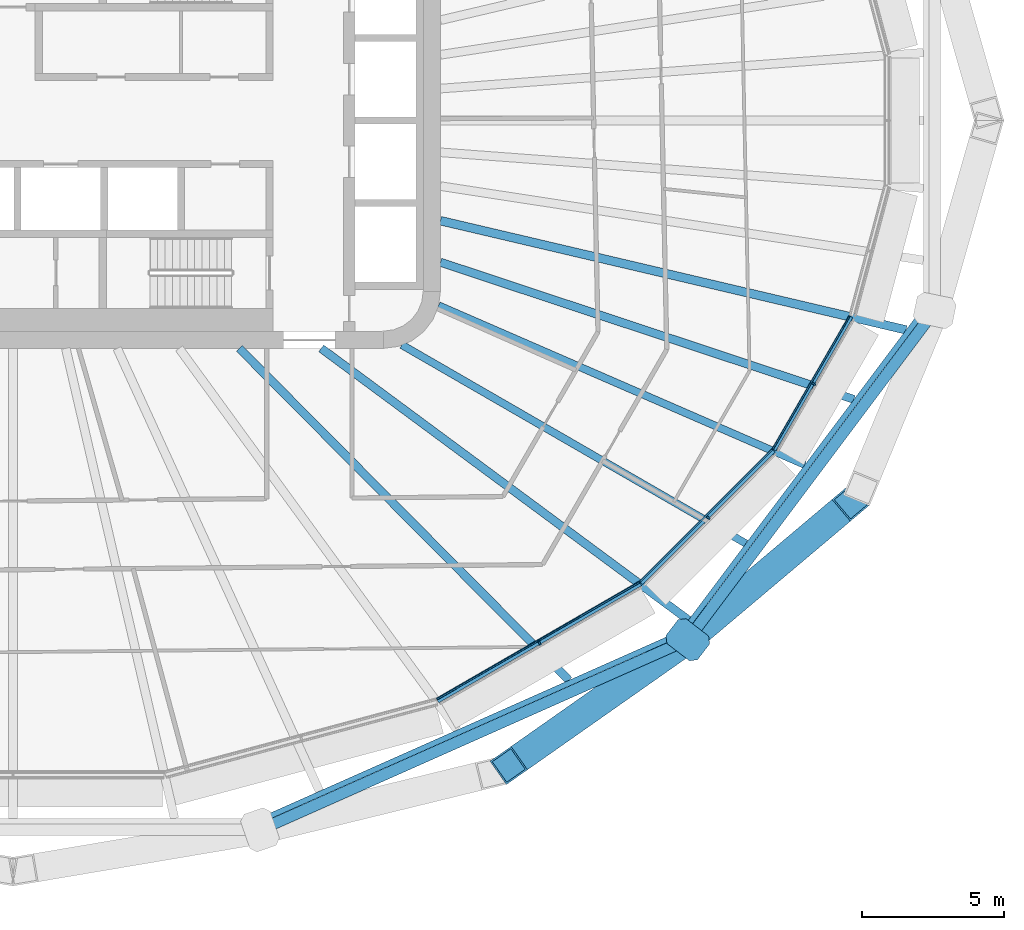
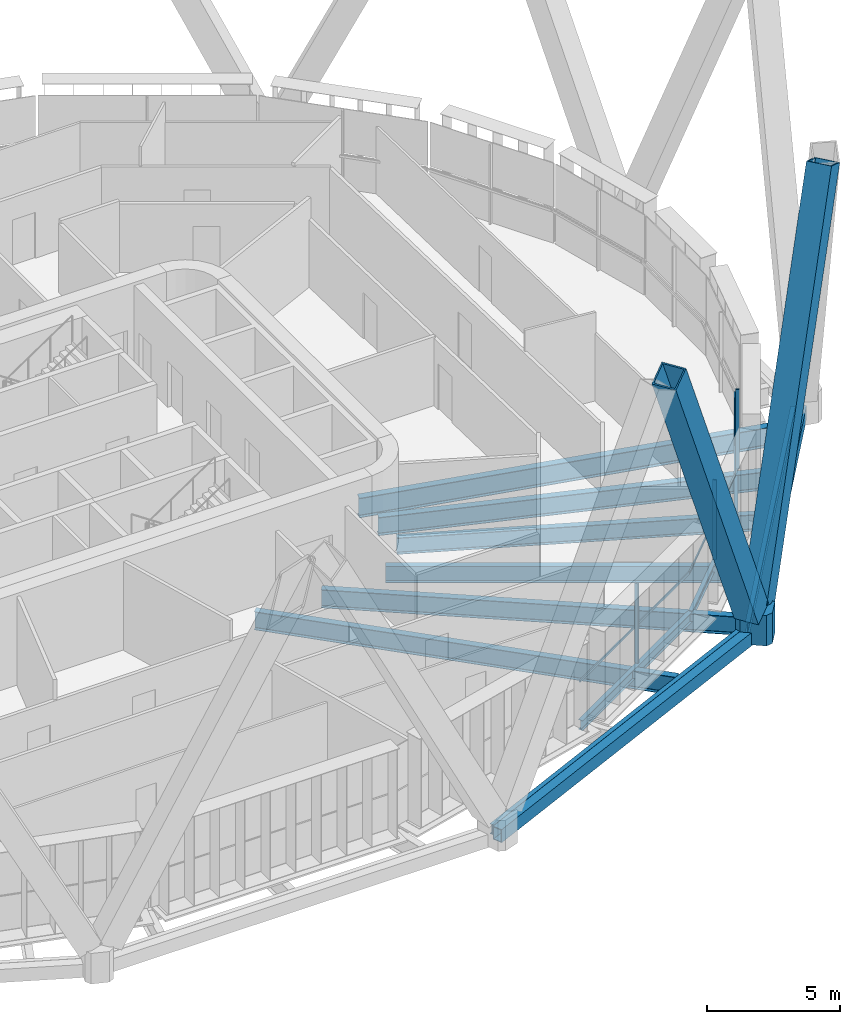
# One storey, part 5 of 25: 13 beams, 9 members, 3 elements without a shape of their own.
"""IFC4 building model written with IfcOpenShell, lengths in metres."""

from ifc_helpers import new_model, si_unit, direction, frame, origin, origin_2d, place, context, subcontext, project, spatial, polyline, rectangle, hollow_rectangle, i_section, outline, extrude, material, layer, layer_set, material_profile, profile_set, type_object, element, aggregate, save


model = new_model("IFC4")

# Units and contexts
model_context = context("Model", 3, precision=1e-05, world=origin(), true_north=direction((0.0, 1.0)))
body_context = subcontext(model_context, "Body", "Model", "MODEL_VIEW")
ifc_project = project(units=[si_unit("LENGTHUNIT", "METRE"), si_unit("AREAUNIT", "SQUARE_METRE"), si_unit("VOLUMEUNIT", "CUBIC_METRE"), si_unit("PLANEANGLEUNIT", "RADIAN"), si_unit("MASSUNIT", "GRAM", prefix="KILO")], contexts=[model_context])

# Site, building, storey
site_placement = place(None, origin())
site = spatial("IfcSite", under=ifc_project, at=site_placement, CompositionType="ELEMENT")
building_placement = place(site_placement, origin())
building = spatial("IfcBuilding", under=site, at=building_placement, Name="Sahrelin Media Tower", CompositionType="ELEMENT")
storey_placement = place(building_placement, frame((0.0, 0.0, 63.0)))
storey = spatial("IfcBuildingStorey", under=building, at=storey_placement, Name="L10", CompositionType="ELEMENT", Elevation=63.0)

# Members
ifc_material_1 = material(Name="Steel S460", Category="steel")
ifc_material_profile_1 = material_profile(ifc_material_1, hollow_rectangle(XDim=1.0, YDim=1.0, WallThickness=0.06005859375, at=origin_2d()), Name="Diagrid diagonal DG1")
ifc_profile_set_1 = profile_set([ifc_material_profile_1], Name="Steel S460")
member_type_1 = type_object("IfcMemberType", Name="Diagrid diagonal DG1", PredefinedType="BRACE", material=ifc_profile_set_1)
member_1_placement = place(storey_placement, frame((23.408203125, -18.419189453125, 0.699951171875), z_axis=(-0.352189140752, -0.247399563402, 0.902638501929), x_axis=(0.574813771639, -0.818284258638, 0.0)))
element("IfcMember", 1, at=member_1_placement, inside=storey, type_object=member_type_1, Name="Diagrid diagonal D01-20", PredefinedType="BRACE", context=body_context, shape_type="SweptSolid", body=[
    extrude(hollow_rectangle(XDim=1.0, YDim=1.0, WallThickness=0.06005859375, at=origin_2d()), origin(), (0.0, 0.0, 1.0), 17.061279296875),
])
member_2_placement = place(storey_placement, frame((23.930419921875, -18.01708984375, 0.699951171875), z_axis=(0.322789301353, 0.272234018557, 0.90647432731), x_axis=(-0.644705674883, 0.764430894701, 0.0)))
element("IfcMember", 2, at=member_2_placement, inside=storey, type_object=member_type_1, Name="Diagrid diagonal D01-21", PredefinedType="BRACE", context=body_context, shape_type="SweptSolid", body=[
    extrude(hollow_rectangle(XDim=1.0, YDim=1.0, WallThickness=0.06005859375, at=origin_2d()), origin(), (0.0, 0.0, 1.0), 16.989013671875),
])
ifc_material_profile_2 = material_profile(ifc_material_1, outline(polyline([(0.5, -0.550048828125), (0.699951171875, -0.35009765625), (0.699951171875, 0.35009765625), (0.5, 0.550048828125), (-0.5, 0.550048828125), (-0.699951171875, 0.35009765625), (-0.699951171875, -0.35009765625), (-0.5, -0.550048828125), (0.5, -0.550048828125)])), Name="Diagrid node block 1400")
ifc_profile_set_2 = profile_set([ifc_material_profile_2], Name="Steel S460")
member_type_2 = type_object("IfcMemberType", Name="Diagrid node block 1400", PredefinedType="USERDEFINED", material=ifc_profile_set_2)
member_3_placement = place(storey_placement, frame((23.68115234375, -18.227294921875, -0.699951171875), z_axis=(0.0, 0.0, 1.0), x_axis=(0.792445093645, -0.609943254376, 0.0)))
element("IfcMember", 3, at=member_3_placement, inside=storey, type_object=member_type_2, Name="Diagrid node N01-10", ObjectType="NODE", PredefinedType="USERDEFINED", context=body_context, shape_type="SweptSolid", body=[
    extrude(outline(polyline([(0.5, -0.550048828125), (0.699951171875, -0.35009765625), (0.699951171875, 0.35009765625), (0.5, 0.550048828125), (-0.5, 0.550048828125), (-0.699951171875, 0.35009765625), (-0.699951171875, -0.35009765625), (-0.5, -0.550048828125), (0.5, -0.550048828125)])), origin(), (0.0, 0.0, 1.0), 1.39990234375),
])

# Beams
ifc_material_profile_3 = material_profile(ifc_material_1, hollow_rectangle(XDim=0.39990234375, YDim=0.60009765625, WallThickness=0.030029296875, at=origin_2d()), Name="Diagrid ring beam RB1")
ifc_profile_set_3 = profile_set([ifc_material_profile_3], Name="Steel S460")
beam_type_1 = type_object("IfcBeamType", Name="Diagrid ring beam RB1", PredefinedType="BEAM", material=ifc_profile_set_3)
beam_1_placement = place(storey_placement, frame((8.66796875, -24.899169921875, -0.449951171875), z_axis=(0.913826255234, 0.406105374558, 0.0), x_axis=(-0.406105374558, 0.913826255234, 0.0)))
element("IfcBeam", 4, at=beam_1_placement, inside=storey, type_object=beam_type_1, Name="Diagrid ring beam RB01-09", PredefinedType="BEAM", context=body_context, shape_type="SweptSolid", body=[
    extrude(hollow_rectangle(XDim=0.39990234375, YDim=0.60009765625, WallThickness=0.030029296875, at=origin_2d()), origin(), (0.0, 0.0, 1.0), 16.428955078125),
])
beam_2_placement = place(storey_placement, frame((23.68115234375, -18.227294921875, -0.449951171875), z_axis=(0.600054081917, 0.799959435706, 0.0), x_axis=(-0.799959435706, 0.600054081917, 0.0)))
element("IfcBeam", 5, at=beam_2_placement, inside=storey, type_object=beam_type_1, Name="Diagrid ring beam RB01-10", PredefinedType="BEAM", context=body_context, shape_type="SweptSolid", body=[
    extrude(hollow_rectangle(XDim=0.39990234375, YDim=0.60009765625, WallThickness=0.030029296875, at=origin_2d()), origin(), (0.0, 0.0, 1.0), 14.4453125),
])
ifc_material_2 = material(Name="Steel S355", Category="steel")
ifc_material_profile_4 = material_profile(ifc_material_2, i_section(OverallWidth=0.1650390625, OverallDepth=0.303466796875, WebThickness=0.006103515625, FlangeThickness=0.01025390625, FilletRadius=0.0087890625, at=origin_2d()), Name="UB 305x165x40")
ifc_profile_set_4 = profile_set([ifc_material_profile_4], Name="Steel S355")
beam_type_2 = type_object("IfcBeamType", Name="Edge beam EB2", PredefinedType="BEAM", material=ifc_profile_set_4)
beam_3_placement = place(storey_placement, frame((29.40087890625, -6.885498046875, -0.3017578125), z_axis=(-0.500003162844, -0.866023577708, 0.0), x_axis=(0.866023577708, -0.500003162844, 0.0)))
element("IfcBeam", 6, at=beam_3_placement, inside=storey, type_object=beam_type_2, Name="Edge beam L10-03", PredefinedType="BEAM", context=body_context, shape_type="SweptSolid", body=[
    extrude(i_section(OverallWidth=0.1650390625, OverallDepth=0.303466796875, WebThickness=0.006103515625, FlangeThickness=0.01025390625, FilletRadius=0.0087890625, at=origin_2d()), origin(), (0.0, 0.0, 1.0), 5.3955078125),
])
ifc_material_profile_5 = material_profile(ifc_material_2, i_section(OverallWidth=0.17138671875, OverallDepth=0.35498046875, WebThickness=0.00732421875, FlangeThickness=0.011474609375, FilletRadius=0.01025390625, at=origin_2d()), Name="UB 356x171x51")
ifc_profile_set_5 = profile_set([ifc_material_profile_5], Name="Steel S355")
beam_type_3 = type_object("IfcBeamType", Name="Edge beam EB3", PredefinedType="BEAM", material=ifc_profile_set_5)
beam_4_placement = place(storey_placement, frame((26.685791015625, -11.580810546875, -0.327392578125), z_axis=(-0.707106781187, -0.707106781187, 0.0), x_axis=(0.707106781187, -0.707106781187, 0.0)))
element("IfcBeam", 7, at=beam_4_placement, inside=storey, type_object=beam_type_3, Name="Edge beam L10-04", PredefinedType="BEAM", context=body_context, shape_type="SweptSolid", body=[
    extrude(i_section(OverallWidth=0.17138671875, OverallDepth=0.35498046875, WebThickness=0.00732421875, FlangeThickness=0.011474609375, FilletRadius=0.01025390625, at=origin_2d()), origin(), (0.0, 0.0, 1.0), 6.574951171875),
])
ifc_material_profile_6 = material_profile(ifc_material_2, i_section(OverallWidth=0.1904296875, OverallDepth=0.45703125, WebThickness=0.009033203125, FlangeThickness=0.014404296875, FilletRadius=0.01025390625, at=origin_2d()), Name="UB 457x191x74")
ifc_profile_set_6 = profile_set([ifc_material_profile_6], Name="Steel S355")
beam_type_4 = type_object("IfcBeamType", Name="Edge beam EB5", PredefinedType="BEAM", material=ifc_profile_set_6)
beam_5_placement = place(storey_placement, frame((22.013671875, -16.24755859375, -0.37841796875), z_axis=(-0.866022854634, -0.500004415232, 0.0), x_axis=(0.500004415232, -0.866022854634, 0.0)))
element("IfcBeam", 8, at=beam_5_placement, inside=storey, type_object=beam_type_4, Name="Edge beam L10-05", PredefinedType="BEAM", context=body_context, shape_type="SweptSolid", body=[
    extrude(i_section(OverallWidth=0.1904296875, OverallDepth=0.45703125, WebThickness=0.009033203125, FlangeThickness=0.014404296875, FilletRadius=0.01025390625, at=origin_2d()), origin(), (0.0, 0.0, 1.0), 8.2197265625),
])

# Curtain wall, member
ifc_material_3 = material(Name="Champagne anodised aluminium 6063-T6", Category="aluminium")
ifc_layer = layer(ifc_material_3, 0.14990234375)
ifc_layer_set = layer_set([ifc_layer], Name="Tower ribbon curtain wall")
curtain_wall_type = type_object("IfcCurtainWallType", Name="Tower ribbon curtain wall", PredefinedType="NOTDEFINED", material=ifc_layer_set)
curtain_wall_1_placement = place(storey_placement, frame((18.529296875, -18.4326171875, 0.0), z_axis=(0.0, 0.0, 1.0), x_axis=(1.0, 0.0, 0.0)))
curtain_wall_1 = element("IfcCurtainWall", 9, at=curtain_wall_1_placement, inside=storey, type_object=curtain_wall_type, Name="L10:CW:L10-20", PredefinedType="NOTDEFINED")
ifc_material_profile_7 = material_profile(ifc_material_3, rectangle(XDim=0.06005859375, YDim=0.14990234375, at=origin_2d()), Name="Mullion 60x150")
ifc_profile_set_7 = profile_set([ifc_material_profile_7], Name="Champagne anodised aluminium 6063-T6")
member_type_3 = type_object("IfcMemberType", Name="Mullion 60x150 CW1", PredefinedType="MULLION", material=ifc_profile_set_7)
member_4_placement = place(storey_placement, frame((18.48193359375, -18.35009765625, 0.0), z_axis=(0.0, 0.0, 1.0), x_axis=(0.866025403784, 0.5, 0.0)))
member_4 = element("IfcMember", 10, at=member_4_placement, type_object=member_type_3, Name="L10:CWM:L10-20", PredefinedType="MULLION", context=body_context, shape_type="SweptSolid", body=[
    extrude(rectangle(XDim=0.06005859375, YDim=0.14990234375, at=origin_2d()), origin(), (0.0, 0.0, 1.0), 3.648681640625),
])

curtain_wall_2_placement = place(storey_placement, frame((24.46728515625, -14.011474609375, 0.0), z_axis=(0.0, 0.0, 1.0), x_axis=(1.0, 0.0, 0.0)))
curtain_wall_2 = element("IfcCurtainWall", 11, at=curtain_wall_2_placement, inside=storey, type_object=curtain_wall_type, Name="L10:CW:L10-21", PredefinedType="NOTDEFINED")
member_5_placement = place(storey_placement, frame((24.39990234375, -13.9443359375, 0.0), z_axis=(0.0, 0.0, 1.0), x_axis=(0.707106781187, 0.707106781187, 0.0)))
member_5 = element("IfcMember", 12, at=member_5_placement, type_object=member_type_3, Name="L10:CWM:L10-21", PredefinedType="MULLION", context=body_context, shape_type="SweptSolid", body=[
    extrude(rectangle(XDim=0.06005859375, YDim=0.14990234375, at=origin_2d()), origin(), (0.0, 0.0, 1.0), 3.648681640625),
])

curtain_wall_3_placement = place(storey_placement, frame((28.181884765625, -9.296630859375, 0.0), z_axis=(0.0, 0.0, 1.0), x_axis=(1.0, 0.0, 0.0)))
curtain_wall_3 = element("IfcCurtainWall", 13, at=curtain_wall_3_placement, inside=storey, type_object=curtain_wall_type, Name="L10:CW:L10-22", PredefinedType="NOTDEFINED")
member_6_placement = place(storey_placement, frame((28.099609375, -9.249267578125, 0.0), z_axis=(0.0, 0.0, 1.0), x_axis=(0.499996976998, 0.866027149108, 0.0)))
member_6 = element("IfcMember", 14, at=member_6_placement, type_object=member_type_3, Name="L10:CWM:L10-22", PredefinedType="MULLION", context=body_context, shape_type="SweptSolid", body=[
    extrude(rectangle(XDim=0.06005859375, YDim=0.14990234375, at=origin_2d()), origin(), (0.0, 0.0, 1.0), 3.648681640625),
])

# Beams
ifc_material_profile_8 = material_profile(ifc_material_2, i_section(OverallWidth=0.291748046875, OverallDepth=0.8349609375, WebThickness=0.013916015625, FlangeThickness=0.018798828125, FilletRadius=0.017822265625, at=origin_2d()), Name="UB 838x292x176")
ifc_profile_set_8 = profile_set([ifc_material_profile_8], Name="Steel S355")
beam_type_5 = type_object("IfcBeamType", Name="Radial primary beam PB10", PredefinedType="BEAM", material=ifc_profile_set_8)
beam_6_placement = place(storey_placement, frame((10.8154296875, -8.0, -0.5673828125), z_axis=(0.803971039313, -0.59466845212, 0.0), x_axis=(0.59466845212, 0.803971039313, 0.0)))
element("IfcBeam", 15, at=beam_6_placement, inside=storey, type_object=beam_type_5, Name="Radial beam L10-21", PredefinedType="BEAM", context=body_context, shape_type="SweptSolid", body=[
    extrude(i_section(OverallWidth=0.291748046875, OverallDepth=0.8349609375, WebThickness=0.013916015625, FlangeThickness=0.018798828125, FilletRadius=0.017822265625, at=origin_2d()), origin(), (0.0, 0.0, 1.0), 16.033935546875),
])
ifc_material_profile_9 = material_profile(ifc_material_2, i_section(OverallWidth=0.30322265625, OverallDepth=0.903076171875, WebThickness=0.01513671875, FlangeThickness=0.020263671875, FilletRadius=0.01904296875, at=origin_2d()), Name="UB 914x305x201")
ifc_profile_set_9 = profile_set([ifc_material_profile_9], Name="Steel S355")
beam_type_6 = type_object("IfcBeamType", Name="Radial primary beam PB11", PredefinedType="BEAM", material=ifc_profile_set_9)
beam_7_placement = place(storey_placement, frame((15.0, -3.518310546875, -0.6015625), z_axis=(0.973576565614, -0.228360834837, 0.0), x_axis=(0.228360834837, 0.973576565614, 0.0)))
element("IfcBeam", 16, at=beam_7_placement, inside=storey, type_object=beam_type_6, Name="Radial beam L10-23", PredefinedType="BEAM", context=body_context, shape_type="SweptSolid", body=[
    extrude(i_section(OverallWidth=0.30322265625, OverallDepth=0.903076171875, WebThickness=0.01513671875, FlangeThickness=0.020263671875, FilletRadius=0.01904296875, at=origin_2d()), origin(), (0.0, 0.0, 1.0), 16.7880859375),
])
ifc_material_profile_10 = material_profile(ifc_material_2, i_section(OverallWidth=0.26513671875, OverallDepth=0.75390625, WebThickness=0.0126953125, FlangeThickness=0.017578125, FilletRadius=0.0166015625, at=origin_2d()), Name="UB 762x267x147")
ifc_profile_set_10 = profile_set([ifc_material_profile_10], Name="Steel S355")
beam_type_7 = type_object("IfcBeamType", Name="Radial primary beam PB9", PredefinedType="BEAM", material=ifc_profile_set_10)
beam_8_placement = place(storey_placement, frame((14.934814453125, -6.495361328125, -0.527099609375), z_axis=(0.917024373813, -0.398831164572, 0.0), x_axis=(0.398831164572, 0.917024373813, 0.0)))
element("IfcBeam", 17, at=beam_8_placement, inside=storey, type_object=beam_type_7, Name="Radial beam L10-22", PredefinedType="BEAM", context=body_context, shape_type="SweptSolid", body=[
    extrude(i_section(OverallWidth=0.26513671875, OverallDepth=0.75390625, WebThickness=0.0126953125, FlangeThickness=0.017578125, FilletRadius=0.0166015625, at=origin_2d()), origin(), (0.0, 0.0, 1.0), 14.02099609375),
])
ifc_material_profile_11 = material_profile(ifc_material_2, i_section(OverallWidth=0.291748046875, OverallDepth=0.8349609375, WebThickness=0.013916015625, FlangeThickness=0.018798828125, FilletRadius=0.017822265625, at=origin_2d()), Name="UB 838x292x176")
ifc_profile_set_11 = profile_set([ifc_material_profile_11], Name="Steel S355")
beam_type_8 = type_object("IfcBeamType", Name="Radial secondary beam SB10", PredefinedType="BEAM", material=ifc_profile_set_11)
beam_9_placement = place(storey_placement, frame((7.94287109375, -8.0, -0.5673828125), z_axis=(0.704566431666, -0.709638036867, 0.0), x_axis=(0.709638036867, 0.704566431666, 0.0)))
element("IfcBeam", 18, at=beam_9_placement, inside=storey, type_object=beam_type_8, Name="Secondary beam L10-20", PredefinedType="BEAM", context=body_context, shape_type="SweptSolid", body=[
    extrude(i_section(OverallWidth=0.291748046875, OverallDepth=0.8349609375, WebThickness=0.013916015625, FlangeThickness=0.018798828125, FilletRadius=0.017822265625, at=origin_2d()), origin(), (0.0, 0.0, 1.0), 16.415283203125),
])
beam_10_placement = place(storey_placement, frame((15.0, -4.97607421875, -0.5673828125), z_axis=(0.949135713963, -0.314867268035, 0.0), x_axis=(0.314867268035, 0.949135713963, 0.0)))
element("IfcBeam", 19, at=beam_10_placement, inside=storey, type_object=beam_type_8, Name="Secondary beam L10-22", PredefinedType="BEAM", context=body_context, shape_type="SweptSolid", body=[
    extrude(i_section(OverallWidth=0.291748046875, OverallDepth=0.8349609375, WebThickness=0.013916015625, FlangeThickness=0.018798828125, FilletRadius=0.017822265625, at=origin_2d()), origin(), (0.0, 0.0, 1.0), 15.292724609375),
])
ifc_material_profile_12 = material_profile(ifc_material_2, i_section(OverallWidth=0.26513671875, OverallDepth=0.75390625, WebThickness=0.0126953125, FlangeThickness=0.017578125, FilletRadius=0.0166015625, at=origin_2d()), Name="UB 762x267x147")
ifc_profile_set_12 = profile_set([ifc_material_profile_12], Name="Steel S355")
beam_type_9 = type_object("IfcBeamType", Name="Radial secondary beam SB9", PredefinedType="BEAM", material=ifc_profile_set_12)
beam_11_placement = place(storey_placement, frame((13.647216796875, -7.87841796875, -0.527099609375), z_axis=(0.866051448613, -0.499954886321, 0.0), x_axis=(0.499954886321, 0.866051448613, 0.0)))
element("IfcBeam", 20, at=beam_11_placement, inside=storey, type_object=beam_type_9, Name="Secondary beam L10-21", PredefinedType="BEAM", context=body_context, shape_type="SweptSolid", body=[
    extrude(i_section(OverallWidth=0.26513671875, OverallDepth=0.75390625, WebThickness=0.0126953125, FlangeThickness=0.017578125, FilletRadius=0.0166015625, at=origin_2d()), origin(), (0.0, 0.0, 1.0), 13.941650390625),
])
ifc_material_profile_13 = material_profile(ifc_material_2, i_section(OverallWidth=0.1904296875, OverallDepth=0.45703125, WebThickness=0.009033203125, FlangeThickness=0.014404296875, FilletRadius=0.01025390625, at=origin_2d()), Name="UB 457x191x74")
ifc_profile_set_13 = profile_set([ifc_material_profile_13], Name="Steel S355")
beam_type_10 = type_object("IfcBeamType", Name="Tie chord TC5", PredefinedType="BEAM", material=ifc_profile_set_13)
beam_12_placement = place(storey_placement, frame((32.049072265625, -6.571533203125, -0.37841796875), z_axis=(-0.600057493907, -0.799956876341, 0.0), x_axis=(0.799956876341, -0.600057493907, 0.0)))
element("IfcBeam", 21, at=beam_12_placement, inside=storey, type_object=beam_type_10, Name="Tie chord L10-02", PredefinedType="BEAM", context=body_context, shape_type="SweptSolid", body=[
    extrude(i_section(OverallWidth=0.1904296875, OverallDepth=0.45703125, WebThickness=0.009033203125, FlangeThickness=0.014404296875, FilletRadius=0.01025390625, at=origin_2d()), origin(), (0.0, 0.0, 1.0), 14.267333984375),
])
beam_13_placement = place(storey_placement, frame((23.48779296875, -17.98486328125, -0.37841796875), z_axis=(-0.913831946154, -0.406092568497, 0.0), x_axis=(0.406092568497, -0.913831946154, 0.0)))
element("IfcBeam", 22, at=beam_13_placement, inside=storey, type_object=beam_type_10, Name="Tie chord L10-03", PredefinedType="BEAM", context=body_context, shape_type="SweptSolid", body=[
    extrude(i_section(OverallWidth=0.1904296875, OverallDepth=0.45703125, WebThickness=0.009033203125, FlangeThickness=0.014404296875, FilletRadius=0.01025390625, at=origin_2d()), origin(), (0.0, 0.0, 1.0), 16.286865234375),
])

# Member
ifc_material_profile_14 = material_profile(ifc_material_3, rectangle(XDim=0.050048828125, YDim=0.10009765625, at=origin_2d()), Name="Transom 50x100")
ifc_profile_set_14 = profile_set([ifc_material_profile_14], Name="Champagne anodised aluminium 6063-T6")
member_type_4 = type_object("IfcMemberType", Name="Transom 50x100 CW1", PredefinedType="USERDEFINED", material=ifc_profile_set_14)
member_7_placement = place(storey_placement, frame((14.88623046875, -20.310546875, 1.60009765625), z_axis=(0.866034646646, 0.499983990553, 0.0), x_axis=(-0.499983990553, 0.866034646646, 0.0)))
member_7 = element("IfcMember", 23, at=member_7_placement, type_object=member_type_4, Name="L10:CWT:L10-20", ObjectType="TRANSOM", PredefinedType="USERDEFINED", context=body_context, shape_type="SweptSolid", body=[
    extrude(rectangle(XDim=0.050048828125, YDim=0.10009765625, at=origin_2d()), origin(), (0.0, 0.0, 1.0), 8.188232421875),
])

aggregate(curtain_wall_1, [member_4, member_7])

member_8_placement = place(storey_placement, frame((22.015869140625, -16.187255859375, 1.60009765625), z_axis=(0.707106781187, 0.707106781187, 0.0), x_axis=(-0.707106781187, 0.707106781187, 0.0)))
member_8 = element("IfcMember", 24, at=member_8_placement, type_object=member_type_4, Name="L10:CWT:L10-21", ObjectType="TRANSOM", PredefinedType="USERDEFINED", context=body_context, shape_type="SweptSolid", body=[
    extrude(rectangle(XDim=0.050048828125, YDim=0.10009765625, at=origin_2d()), origin(), (0.0, 0.0, 1.0), 6.54345703125),
])

aggregate(curtain_wall_2, [member_5, member_8])

member_9_placement = place(storey_placement, frame((26.672119140625, -11.52197265625, 1.60009765625), z_axis=(0.499971977112, 0.866041582202, 0.0), x_axis=(-0.866041582202, 0.499971977112, 0.0)))
member_9 = element("IfcMember", 25, at=member_9_placement, type_object=member_type_4, Name="L10:CWT:L10-22", ObjectType="TRANSOM", PredefinedType="USERDEFINED", context=body_context, shape_type="SweptSolid", body=[
    extrude(rectangle(XDim=0.050048828125, YDim=0.10009765625, at=origin_2d()), origin(), (0.0, 0.0, 1.0), 5.364013671875),
])

aggregate(curtain_wall_3, [member_6, member_9])

save(model, "model.ifc")
